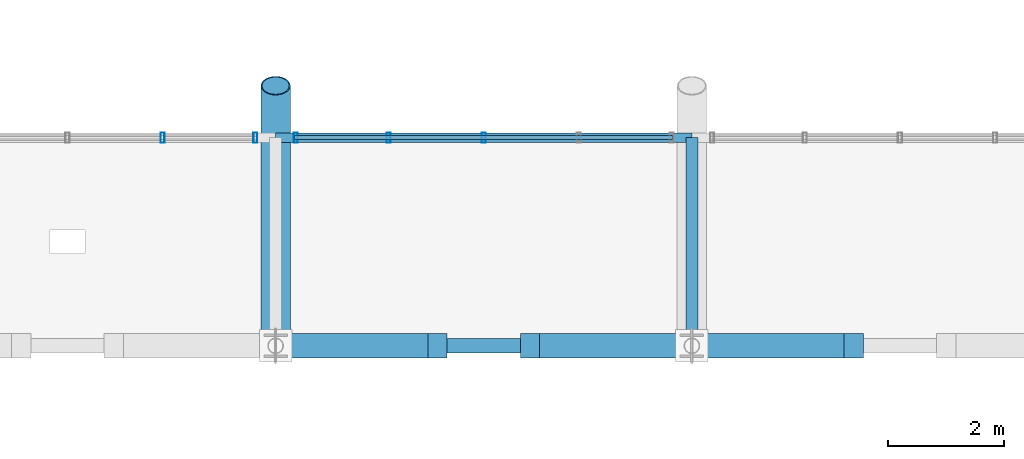
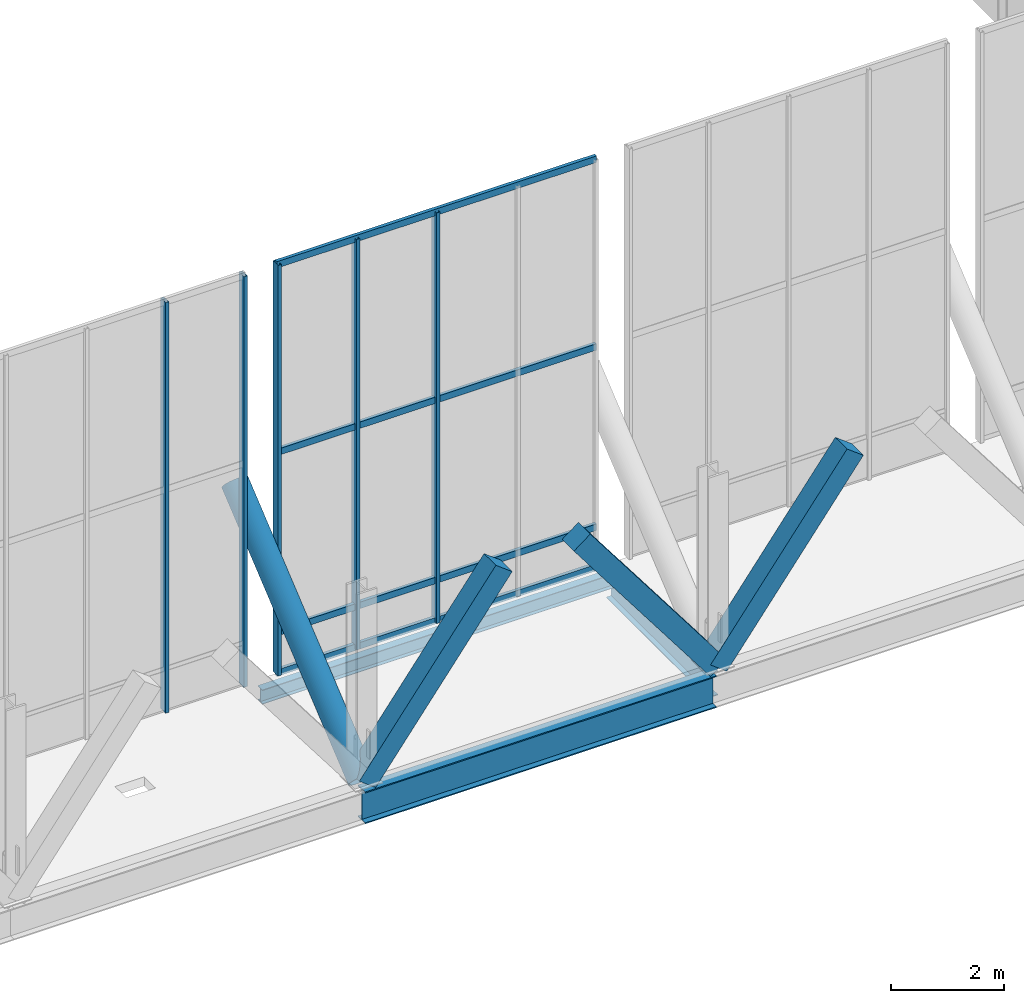
# One storey, part 32 of 102: 13 members, 3 beams, 2 elements without a shape of their own.
"""IFC4 building model written with IfcOpenShell, lengths in metres."""

from ifc_helpers import new_model, si_unit, direction, frame, origin, origin_2d, place, context, subcontext, project, spatial, rectangle, hollow_rectangle, hollow_circle, i_section, extrude, material, material_profile, profile_set, type_object, element, aggregate, save


model = new_model("IFC4")

# Units and contexts
model_context = context("Model", 3, precision=1e-05, world=origin(), true_north=direction((0.0, 1.0)))
body_context = subcontext(model_context, "Body", "Model", "MODEL_VIEW")
ifc_project = project(units=[si_unit("LENGTHUNIT", "METRE"), si_unit("AREAUNIT", "SQUARE_METRE"), si_unit("VOLUMEUNIT", "CUBIC_METRE"), si_unit("PLANEANGLEUNIT", "RADIAN"), si_unit("MASSUNIT", "GRAM", prefix="KILO")], contexts=[model_context])

# Site, building, storey
site_placement = place(None, origin())
site = spatial("IfcSite", under=ifc_project, at=site_placement, CompositionType="ELEMENT")
building_placement = place(site_placement, origin())
building = spatial("IfcBuilding", under=site, at=building_placement, Name="Yarey Park Central Fire Station", CompositionType="ELEMENT")
storey_placement = place(building_placement, frame((0.0, 0.0, 6.0)))
storey = spatial("IfcBuildingStorey", under=building, at=storey_placement, Name="L02", CompositionType="ELEMENT", Elevation=6.0)

# Curtain wall, members
ifc_material_1 = material(Name="Anodized Aluminium Frame", Category="aluminium")
curtain_wall_type = type_object("IfcCurtainWallType", Name="ENV_CW_CLER_9M", PredefinedType="NOTDEFINED", material=ifc_material_1)
curtain_wall_1_placement = place(storey_placement, origin())
curtain_wall_1 = element("IfcCurtainWall", 1, at=curtain_wall_1_placement, inside=storey, type_object=curtain_wall_type, Name="CW_V2_CLER_S_08", PredefinedType="NOTDEFINED")
ifc_material_profile_1 = material_profile(ifc_material_1, hollow_rectangle(XDim=0.070068359375, YDim=0.179931640625, WallThickness=0.00390625, at=origin_2d()), Name="ALU 180x70x4")
ifc_profile_set_1 = profile_set([ifc_material_profile_1], Name="Anodized Aluminium Frame")
member_type_1 = type_object("IfcMemberType", Name="ENV_CW_MULLION", PredefinedType="MULLION", material=ifc_profile_set_1)
member_1_placement = place(storey_placement, frame((113.2451171875, 61.199951171875, 0.0), z_axis=(0.0, 0.0, 1.0), x_axis=(1.0, 0.0, 0.0)))
member_1 = element("IfcMember", 2, at=member_1_placement, type_object=member_type_1, Name="CW_V2_CLER_S_08_MUL4", PredefinedType="MULLION", context=body_context, shape_type="SweptSolid", body=[
    extrude(hollow_rectangle(XDim=0.070068359375, YDim=0.179931640625, WallThickness=0.00390625, at=origin_2d()), origin(), (0.0, 0.0, 1.0), 8.89990234375),
])
member_2_placement = place(storey_placement, frame((114.85009765625, 61.199951171875, 0.0), z_axis=(0.0, 0.0, 1.0), x_axis=(1.0, 0.0, 0.0)))
member_2 = element("IfcMember", 3, at=member_2_placement, type_object=member_type_1, Name="CW_V2_CLER_S_08_MUL5", PredefinedType="MULLION", context=body_context, shape_type="SweptSolid", body=[
    extrude(hollow_rectangle(XDim=0.070068359375, YDim=0.179931640625, WallThickness=0.00390625, at=origin_2d()), origin(), (0.0, 0.0, 1.0), 8.89990234375),
])
aggregate(curtain_wall_1, [member_1, member_2])

curtain_wall_2_placement = place(storey_placement, origin())
curtain_wall_2 = element("IfcCurtainWall", 4, at=curtain_wall_2_placement, inside=storey, type_object=curtain_wall_type, Name="CW_V2_CLER_S_09", PredefinedType="NOTDEFINED")
member_3_placement = place(storey_placement, frame((115.550048828125, 61.199951171875, 0.0), z_axis=(0.0, 0.0, 1.0), x_axis=(1.0, 0.0, 0.0)))
member_3 = element("IfcMember", 5, at=member_3_placement, type_object=member_type_1, Name="CW_V2_CLER_S_09_MUL1", PredefinedType="MULLION", context=body_context, shape_type="SweptSolid", body=[
    extrude(hollow_rectangle(XDim=0.070068359375, YDim=0.179931640625, WallThickness=0.00390625, at=origin_2d()), origin(), (0.0, 0.0, 1.0), 8.89990234375),
])
member_4_placement = place(storey_placement, frame((117.155029296875, 61.199951171875, 0.0), z_axis=(0.0, 0.0, 1.0), x_axis=(1.0, 0.0, 0.0)))
member_4 = element("IfcMember", 6, at=member_4_placement, type_object=member_type_1, Name="CW_V2_CLER_S_09_MUL2", PredefinedType="MULLION", context=body_context, shape_type="SweptSolid", body=[
    extrude(hollow_rectangle(XDim=0.070068359375, YDim=0.179931640625, WallThickness=0.00390625, at=origin_2d()), origin(), (0.0, 0.0, 1.0), 8.89990234375),
])
member_5_placement = place(storey_placement, frame((118.800048828125, 61.199951171875, 0.0), z_axis=(0.0, 0.0, 1.0), x_axis=(1.0, 0.0, 0.0)))
member_5 = element("IfcMember", 7, at=member_5_placement, type_object=member_type_1, Name="CW_V2_CLER_S_09_MUL3", PredefinedType="MULLION", context=body_context, shape_type="SweptSolid", body=[
    extrude(hollow_rectangle(XDim=0.070068359375, YDim=0.179931640625, WallThickness=0.00390625, at=origin_2d()), origin(), (0.0, 0.0, 1.0), 8.89990234375),
])
ifc_material_profile_2 = material_profile(ifc_material_1, hollow_rectangle(XDim=0.070068359375, YDim=0.139892578125, WallThickness=0.00390625, at=origin_2d()), Name="ALU 140x70x4")
ifc_profile_set_2 = profile_set([ifc_material_profile_2], Name="Anodized Aluminium Frame")
member_type_2 = type_object("IfcMemberType", Name="ENV_CW_TRANSOM", PredefinedType="USERDEFINED", material=ifc_profile_set_2)
member_6_placement = place(storey_placement, frame((115.52490234375, 61.199951171875, 0.02490234375), z_axis=(1.0, 0.0, 0.0), x_axis=(0.0, 1.0, 0.0)))
member_6 = element("IfcMember", 8, at=member_6_placement, type_object=member_type_2, Name="CW_V2_CLER_S_09_TRN1", ObjectType="TRANSOM", PredefinedType="USERDEFINED", context=body_context, shape_type="SweptSolid", body=[
    extrude(hollow_rectangle(XDim=0.070068359375, YDim=0.139892578125, WallThickness=0.00390625, at=origin_2d()), origin(), (0.0, 0.0, 1.0), 6.550048828125),
])
member_7_placement = place(storey_placement, frame((115.52490234375, 61.199951171875, 0.89990234375), z_axis=(1.0, 0.0, 0.0), x_axis=(0.0, 1.0, 0.0)))
member_7 = element("IfcMember", 9, at=member_7_placement, type_object=member_type_2, Name="CW_V2_CLER_S_09_TRN2", ObjectType="TRANSOM", PredefinedType="USERDEFINED", context=body_context, shape_type="SweptSolid", body=[
    extrude(hollow_rectangle(XDim=0.070068359375, YDim=0.139892578125, WallThickness=0.00390625, at=origin_2d()), origin(), (0.0, 0.0, 1.0), 6.550048828125),
])
member_8_placement = place(storey_placement, frame((115.52490234375, 61.199951171875, 4.805908203125), z_axis=(1.0, 0.0, 0.0), x_axis=(0.0, 1.0, 0.0)))
member_8 = element("IfcMember", 10, at=member_8_placement, type_object=member_type_2, Name="CW_V2_CLER_S_09_TRN3", ObjectType="TRANSOM", PredefinedType="USERDEFINED", context=body_context, shape_type="SweptSolid", body=[
    extrude(hollow_rectangle(XDim=0.070068359375, YDim=0.139892578125, WallThickness=0.00390625, at=origin_2d()), origin(), (0.0, 0.0, 1.0), 6.550048828125),
])
member_9_placement = place(storey_placement, frame((115.52490234375, 61.199951171875, 8.875), z_axis=(1.0, 0.0, 0.0), x_axis=(0.0, 1.0, 0.0)))
member_9 = element("IfcMember", 11, at=member_9_placement, type_object=member_type_2, Name="CW_V2_CLER_S_09_TRN4", ObjectType="TRANSOM", PredefinedType="USERDEFINED", context=body_context, shape_type="SweptSolid", body=[
    extrude(hollow_rectangle(XDim=0.070068359375, YDim=0.139892578125, WallThickness=0.00390625, at=origin_2d()), origin(), (0.0, 0.0, 1.0), 6.550048828125),
])
aggregate(curtain_wall_2, [member_3, member_4, member_5, member_6, member_7, member_8, member_9])

# Beams
ifc_material_2 = material(Name="Steel ASTM A992 Gr. 50", Category="steel")
ifc_material_profile_3 = material_profile(ifc_material_2, i_section(OverallWidth=0.208984375, OverallDepth=0.532958984375, WebThickness=0.01025390625, FlangeThickness=0.015625, at=origin_2d()), Name="W530x92")
ifc_profile_set_3 = profile_set([ifc_material_profile_3], Name="Steel ASTM A992 Gr. 50")
beam_type_1 = type_object("IfcBeamType", Name="STR_BM_W530", PredefinedType="BEAM", material=ifc_profile_set_3)
beam_1_placement = place(storey_placement, frame((122.39990234375, 57.60009765625, -0.46142578125), z_axis=(0.0, 1.0, 0.0), x_axis=(-1.0, 0.0, 0.0)))
element("IfcBeam", 12, at=beam_1_placement, inside=storey, type_object=beam_type_1, Name="EAVE RIB S 09", PredefinedType="BEAM", context=body_context, shape_type="SweptSolid", body=[
    extrude(i_section(OverallWidth=0.208984375, OverallDepth=0.532958984375, WebThickness=0.01025390625, FlangeThickness=0.015625, at=origin_2d()), origin(), (0.0, 0.0, 1.0), 3.599853515625),
])
ifc_material_profile_4 = material_profile(ifc_material_2, i_section(OverallWidth=0.256103515625, OverallDepth=0.693115234375, WebThickness=0.014404296875, FlangeThickness=0.023681640625, at=origin_2d()), Name="W690x170")
ifc_profile_set_4 = profile_set([ifc_material_profile_4], Name="Steel ASTM A992 Gr. 50")
beam_type_2 = type_object("IfcBeamType", Name="STR_BM_W690", PredefinedType="BEAM", material=ifc_profile_set_4)
beam_2_placement = place(storey_placement, frame((115.199951171875, 57.60009765625, -0.54150390625), z_axis=(1.0, 0.0, 0.0), x_axis=(0.0, 1.0, 0.0)))
element("IfcBeam", 13, at=beam_2_placement, inside=storey, type_object=beam_type_2, Name="BMX L02 Y576 X1152", PredefinedType="BEAM", context=body_context, shape_type="SweptSolid", body=[
    extrude(i_section(OverallWidth=0.256103515625, OverallDepth=0.693115234375, WebThickness=0.014404296875, FlangeThickness=0.023681640625, at=origin_2d()), origin(), (0.0, 0.0, 1.0), 7.199951171875),
])

# Member
ifc_material_3 = material(Name="Steel ASTM A500 Gr. C", Category="steel")
ifc_material_profile_5 = material_profile(ifc_material_3, hollow_circle(Radius=0.25390625, WallThickness=0.02001953125, at=origin_2d()), Name="CHS 508x20")
ifc_profile_set_5 = profile_set([ifc_material_profile_5], Name="Steel ASTM A500 Gr. C")
member_type_3 = type_object("IfcMemberType", Name="STR_CHORD_CHS508", PredefinedType="CHORD", material=ifc_profile_set_5)
member_10_placement = place(storey_placement, frame((115.199951171875, 57.60009765625, 0.0), z_axis=(0.0, 0.770847459396, 0.637019775473), x_axis=(-1.0, 0.0, 0.0)))
element("IfcMember", 14, at=member_10_placement, inside=storey, type_object=member_type_3, Name="Arched Roof Truss ART_09 Bottom Chord 1", PredefinedType="CHORD", context=body_context, shape_type="SweptSolid", body=[
    extrude(hollow_circle(Radius=0.25390625, WallThickness=0.02001953125, at=origin_2d()), origin(), (0.0, 0.0, 1.0), 5.837646484375),
])

# Beam
ifc_material_profile_6 = material_profile(ifc_material_2, i_section(OverallWidth=0.1650390625, OverallDepth=0.31005859375, WebThickness=0.005859375, FlangeThickness=0.009765625, at=origin_2d()), Name="W310x39")
ifc_profile_set_6 = profile_set([ifc_material_profile_6], Name="Steel ASTM A992 Gr. 50")
beam_type_3 = type_object("IfcBeamType", Name="STR_SPN_W310", PredefinedType="SPANDREL", material=ifc_profile_set_6)
beam_3_placement = place(storey_placement, frame((115.199951171875, 61.199951171875, -0.35009765625), z_axis=(1.0, 0.0, 0.0), x_axis=(0.0, 1.0, 0.0)))
element("IfcBeam", 15, at=beam_3_placement, inside=storey, type_object=beam_type_3, Name="EAVE EDG S 08", PredefinedType="SPANDREL", context=body_context, shape_type="SweptSolid", body=[
    extrude(i_section(OverallWidth=0.1650390625, OverallDepth=0.31005859375, WebThickness=0.005859375, FlangeThickness=0.009765625, at=origin_2d()), origin(), (0.0, 0.0, 1.0), 7.199951171875),
])

# Members
ifc_material_4 = material(Name="Glulam GL28h", Category="wood")
ifc_material_profile_7 = material_profile(ifc_material_4, rectangle(XDim=0.419921875, YDim=0.419921875, at=origin_2d()), Name="GL 420x420")
ifc_profile_set_7 = profile_set([ifc_material_profile_7], Name="Glulam GL28h")
member_type_4 = type_object("IfcMemberType", Name="STR_STRUT_GL420", PredefinedType="STRUT", material=ifc_profile_set_7)
for number, where, z_axis, x_axis, name in (
    (16, (115.199951171875, 57.60009765625, 0.02001953125), (0.603454425048, 0.0, 0.797397489895), (0.0, 1.0, 0.0), "Raked Glulam Strut RGS-053"),
    (17, (122.39990234375, 57.60009765625, 0.02001953125), (0.603454425048, 0.0, 0.797397489895), (0.0, 1.0, 0.0), "Raked Glulam Strut RGS-055"),
):
    element("IfcMember", number, at=place(storey_placement, frame(where, z_axis=z_axis, x_axis=x_axis)), inside=storey, type_object=member_type_4, Name=name, PredefinedType="STRUT", context=body_context, shape_type="SweptSolid", body=[
        extrude(rectangle(XDim=0.419921875, YDim=0.419921875, at=origin_2d()), origin(), (0.0, 0.0, 1.0), 4.64013671875),
    ])
member_11_placement = place(storey_placement, frame((122.39990234375, 57.60009765625, 0.02001953125), z_axis=(-0.603420967868, 0.0, 0.797422808514), x_axis=(0.0, -1.0, 0.0)))
element("IfcMember", 18, at=member_11_placement, inside=storey, type_object=member_type_4, Name="Raked Glulam Strut RGS-056", PredefinedType="STRUT", context=body_context, shape_type="SweptSolid", body=[
    extrude(rectangle(XDim=0.419921875, YDim=0.419921875, at=origin_2d()), origin(), (0.0, 0.0, 1.0), 4.639892578125),
])

save(model, "model.ifc")
